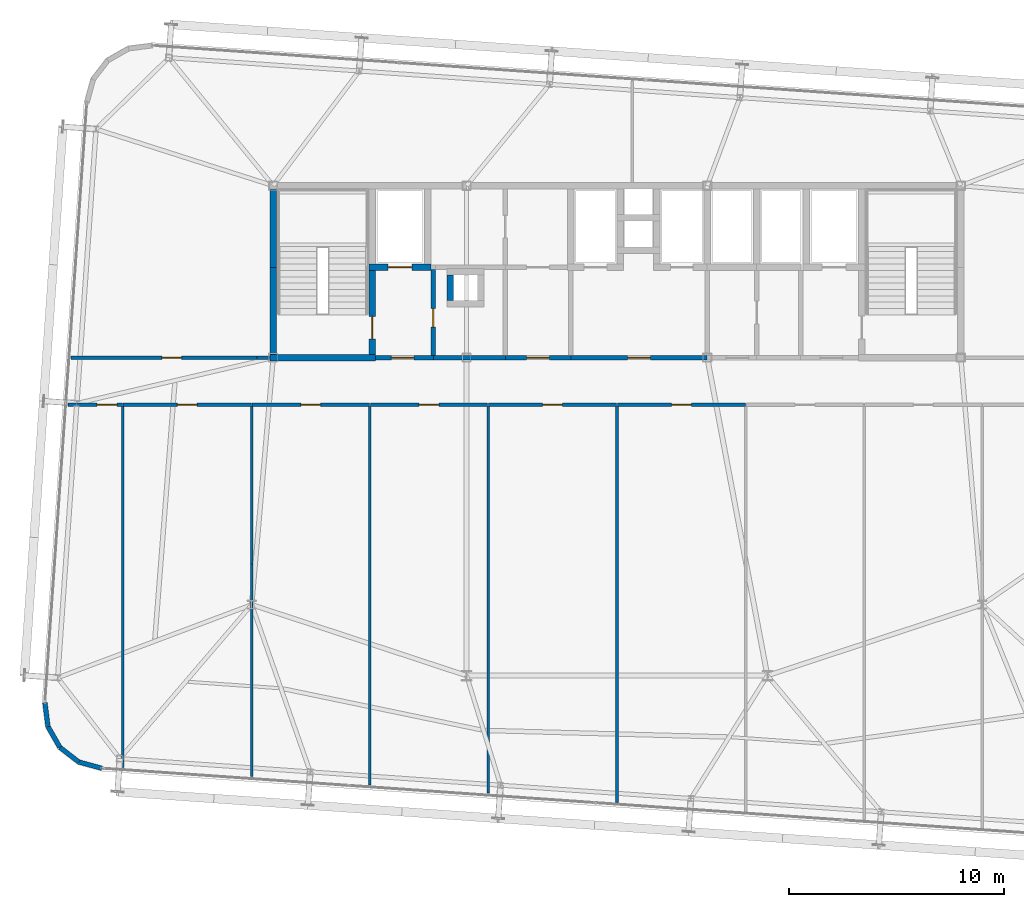
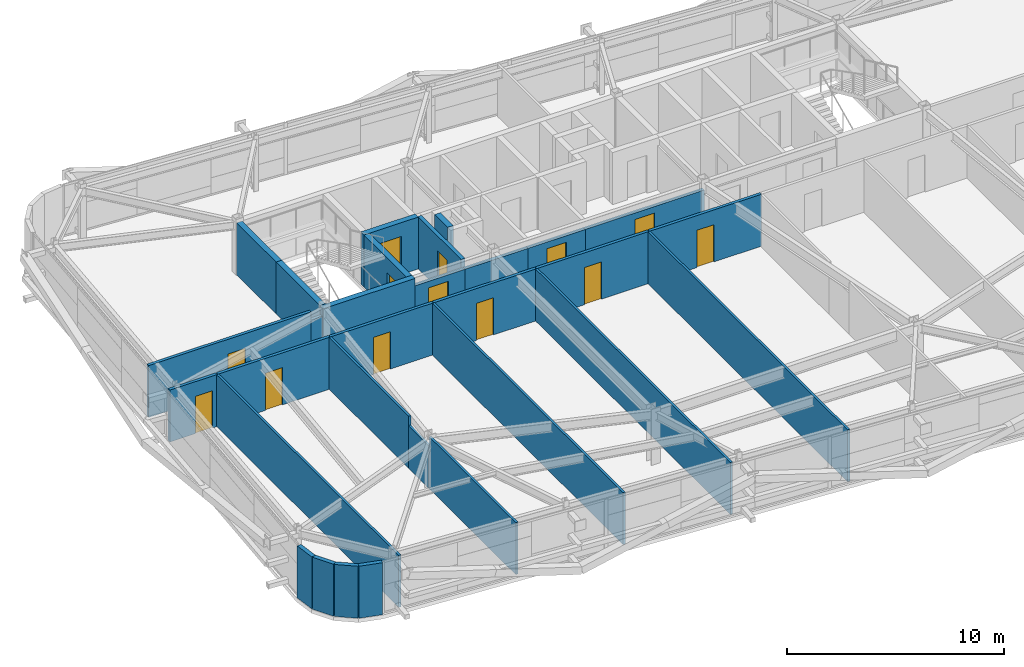
# One storey, part 35 of 39: 30 walls, 13 doors, 13 openings.
"""IFC4 building model written with IfcOpenShell, lengths in metres."""

from ifc_helpers import new_model, si_unit, direction, frame, frame_2d, origin, place, context, subcontext, project, spatial, rectangle, extrude, source, transform, mapped, material, layer, layer_set, type_object, element, fill, save


model = new_model("IFC4")

# Units and contexts
model_context = context("Model", 3, precision=1e-05, world=origin(), true_north=direction((0.0, 1.0)))
body_context = subcontext(model_context, "Body", "Model", "MODEL_VIEW")
ifc_project = project(units=[si_unit("LENGTHUNIT", "METRE"), si_unit("AREAUNIT", "SQUARE_METRE"), si_unit("VOLUMEUNIT", "CUBIC_METRE"), si_unit("PLANEANGLEUNIT", "RADIAN"), si_unit("MASSUNIT", "GRAM", prefix="KILO")], contexts=[model_context])

# Site, building, storey
site_placement = place(None, origin())
site = spatial("IfcSite", under=ifc_project, at=site_placement, CompositionType="ELEMENT")
building_placement = place(site_placement, origin())
building = spatial("IfcBuilding", under=site, at=building_placement, Name="Taldren Reach Tower", CompositionType="ELEMENT")
storey_placement = place(building_placement, frame((0.0, 0.0, 123.550048828125)))
storey = spatial("IfcBuildingStorey", under=building, at=storey_placement, Name="L37", CompositionType="ELEMENT", Elevation=123.550048828125)

# Walls
ifc_material_1 = material(Name="Pale Champagne Anodised Aluminium Cladding", Category="aluminium")
ifc_layer_1 = layer(ifc_material_1, 0.04, Name="Pale Champagne Anodised Aluminium Cladding", Category="aluminium")
ifc_material_2 = material(Name="Mineral Wool Acoustic Insulation", Category="insulation")
ifc_layer_2 = layer(ifc_material_2, 0.06, Name="Mineral Wool Acoustic Insulation", Category="insulation")
ifc_material_3 = material(Name="Steel Gr 350 (C350L0)", Category="steel")
ifc_layer_3 = layer(ifc_material_3, 0.12, Name="Steel Gr 350 (C350L0)", Category="steel")
ifc_layer_set_1 = layer_set([ifc_layer_1, ifc_layer_2, ifc_layer_3], Name="Pale Champagne Aluminium Cladding and Steel Gr 350 Stud Framing")
wall_type_1 = type_object("IfcWallType", Name="EW-CRN-220", PredefinedType="SOLIDWALL", material=ifc_layer_set_1)
shared_shape_1 = source(origin(), body_context, "Body", "SweptSolid", [
    extrude(rectangle(XDim=1.115966796875, YDim=0.219970703125, at=frame_2d((0.55810546875, 0.0))), origin(), (0.0, 0.0, 1.0), 2.929931640625),
])
for number, where, z_axis, x_axis, name in (
    (1, (8.37646484375, 7.93798828125, 0.0), (0.0, 0.0, 1.0), (0.126242535829, -0.991999406324, 0.0), "Rounded-corner pale-metal facade wall L37-SW1"),
    (2, (8.517333984375, 6.8310546875, 0.0), (0.0, 0.0, 1.0), (0.496138938357, -0.868243142124, 0.0), "Rounded-corner pale-metal facade wall L37-SW2"),
    (3, (9.071044921875, 5.862060546875, 0.0), (0.0, 0.0, 1.0), (0.790716874741, -0.612182018684, 0.0), "Rounded-corner pale-metal facade wall L37-SW3"),
    (4, (9.953369140625, 5.178955078125, 0.0), (0.0, 0.0, 1.0), (0.964804199372, -0.262969307856, 0.0), "Rounded-corner pale-metal facade wall L37-SW4"),
):
    element("IfcWall", number, at=place(storey_placement, frame(where, z_axis=z_axis, x_axis=x_axis)), inside=storey, type_object=wall_type_1, Name=name, PredefinedType="SOLIDWALL", context=body_context, shape_type="MappedRepresentation", body=[
        mapped(shared_shape_1, transform((0.0, 0.0, 0.0), scale=1.0)),
    ])

# Wall, opening, door
ifc_material_4 = material(Name="Fire-Rated Acoustic Plasterboard Stud Wall", Category="gypsum")
ifc_layer_4 = layer(ifc_material_4, 0.159912109375)
ifc_layer_set_2 = layer_set([ifc_layer_4], Name="Fire-Rated Acoustic Plasterboard Stud Wall")
wall_type_2 = type_object("IfcWallType", Name="IW-FIRE-160", PredefinedType="PARTITIONING", material=ifc_layer_set_2)
shared_shape_2 = source(origin(), body_context, "Body", "SweptSolid", [
    extrude(rectangle(XDim=5.95947265625, YDim=0.159912109375, at=frame_2d((2.979736328125, 0.0))), origin(), (0.0, 0.0, 1.0), 2.929931640625),
])
wall_1_placement = place(storey_placement, frame((17.979736328125, 21.800048828125, 0.0), z_axis=(0.0, 0.0, 1.0), x_axis=(-1.0, 0.0, 0.0)))
wall_1 = element("IfcWall", 5, at=wall_1_placement, inside=storey, type_object=wall_type_2, Name="Interior Partition Wall W-INT-L37-047", PredefinedType="PARTITIONING", context=body_context, shape_type="MappedRepresentation", body=[
    mapped(shared_shape_2, transform((0.0, 0.0, 0.0), scale=1.0)),
])
shared_shape_3 = source(origin(), body_context, "Body", "SweptSolid", [
    extrude(rectangle(XDim=0.919921875, YDim=2.10009765625, at=frame_2d((0.4599609375, 1.050048828125))), frame((0.0, 0.08984375, 0.0), z_axis=(0.0, -1.0, 0.0), x_axis=(1.0, 0.0, 0.0)), (0.0, 0.0, 1.0), 0.179931640625),
])
opening_1_placement = place(wall_1_placement, frame((2.519775390625, 0.0, 0.0)))
opening_1 = element("IfcOpeningElement", 6, at=opening_1_placement, cuts=wall_1, Name="Opening DI-092", PredefinedType="OPENING", context=body_context, shape_type="MappedRepresentation", body=[
    mapped(shared_shape_3, transform((0.0, 0.0, 0.0), scale=1.0)),
])
ifc_material_5 = material(Name="Solid-Core Timber Suite Door", Category="wood")
door_type_1 = type_object("IfcDoorType", Name="ID-INT-092", OperationType="NOTDEFINED", PredefinedType="DOOR", material=ifc_material_5)
shared_shape_4 = source(origin(), body_context, "Body", "SweptSolid", [
    extrude(rectangle(XDim=0.919921875, YDim=2.10009765625, at=frame_2d((0.4599609375, 1.050048828125))), frame((0.0, 0.02490234375, 0.0), z_axis=(0.0, -1.0, 0.0), x_axis=(1.0, 0.0, 0.0)), (0.0, 0.0, 1.0), 0.050048828125),
])
door_1_placement = place(opening_1_placement, origin())
door_1 = element("IfcDoor", 7, at=door_1_placement, inside=storey, type_object=door_type_1, Name="Interior Door DR-L37-012", OperationType="SINGLE_SWING_LEFT", OverallHeight=2.10009765625, OverallWidth=0.919921875, PredefinedType="DOOR", context=body_context, shape_type="MappedRepresentation", body=[
    mapped(shared_shape_4, transform((0.0, 0.0, 0.0), scale=1.0)),
])
fill(opening_1, door_1)

wall_2_placement = place(storey_placement, frame((34.979736328125, 21.800048828125, 0.0), z_axis=(0.0, 0.0, 1.0), x_axis=(-1.0, 0.0, 0.0)))
wall_2 = element("IfcWall", 8, at=wall_2_placement, inside=storey, type_object=wall_type_2, Name="Interior Partition Wall W-INT-L37-050", PredefinedType="PARTITIONING", context=body_context, shape_type="MappedRepresentation", body=[
    mapped(shared_shape_2, transform((0.0, 0.0, 0.0), scale=1.0)),
])
opening_2_placement = place(wall_2_placement, frame((2.519775390625, 0.0, 0.0)))
opening_2 = element("IfcOpeningElement", 9, at=opening_2_placement, cuts=wall_2, Name="Opening DI-092", PredefinedType="OPENING", context=body_context, shape_type="MappedRepresentation", body=[
    mapped(shared_shape_3, transform((0.0, 0.0, 0.0), scale=1.0)),
])
door_2_placement = place(opening_2_placement, origin())
door_2 = element("IfcDoor", 10, at=door_2_placement, inside=storey, type_object=door_type_1, Name="Interior Door DR-L37-015", OperationType="SINGLE_SWING_RIGHT", OverallHeight=2.10009765625, OverallWidth=0.919921875, PredefinedType="DOOR", context=body_context, shape_type="MappedRepresentation", body=[
    mapped(shared_shape_4, transform((0.0, 0.0, 0.0), scale=1.0)),
])
fill(opening_2, door_2)

wall_3_placement = place(storey_placement, frame((40.979736328125, 21.800048828125, 0.0), z_axis=(0.0, 0.0, 1.0), x_axis=(-1.0, 0.0, 0.0)))
wall_3 = element("IfcWall", 11, at=wall_3_placement, inside=storey, type_object=wall_type_2, Name="Interior Partition Wall W-INT-L37-051", PredefinedType="PARTITIONING", context=body_context, shape_type="MappedRepresentation", body=[
    mapped(shared_shape_2, transform((0.0, 0.0, 0.0), scale=1.0)),
])
opening_3_placement = place(wall_3_placement, frame((2.519775390625, 0.0, 0.0)))
opening_3 = element("IfcOpeningElement", 12, at=opening_3_placement, cuts=wall_3, Name="Opening DI-092", PredefinedType="OPENING", context=body_context, shape_type="MappedRepresentation", body=[
    mapped(shared_shape_3, transform((0.0, 0.0, 0.0), scale=1.0)),
])
door_3_placement = place(opening_3_placement, origin())
door_3 = element("IfcDoor", 13, at=door_3_placement, inside=storey, type_object=door_type_1, Name="Interior Door DR-L37-016", OperationType="SINGLE_SWING_LEFT", OverallHeight=2.10009765625, OverallWidth=0.919921875, PredefinedType="DOOR", context=body_context, shape_type="MappedRepresentation", body=[
    mapped(shared_shape_4, transform((0.0, 0.0, 0.0), scale=1.0)),
])
fill(opening_3, door_3)

# Walls
ifc_material_6 = material(Name="Concrete S65 (65 MPa)", Category="concrete")
ifc_layer_5 = layer(ifc_material_6, 0.300048828125)
ifc_layer_set_3 = layer_set([ifc_layer_5], Name="Concrete S65 (65 MPa)")
wall_type_3 = type_object("IfcWallType", Name="IW-CORE-300", PredefinedType="SHEAR", material=ifc_layer_set_3)
shared_shape_5 = source(origin(), body_context, "Body", "SweptSolid", [
    extrude(rectangle(XDim=4.050048828125, YDim=0.300048828125, at=frame_2d((2.02490234375, 0.0))), origin(), (0.0, 0.0, 1.0), 2.929931640625),
])
wall_4_placement = place(storey_placement, frame((19.0, 24.14990234375, 0.0), z_axis=(0.0, 0.0, 1.0), x_axis=(0.0, 1.0, 0.0)))
element("IfcWall", 14, at=wall_4_placement, inside=storey, type_object=wall_type_3, Name="Rear Core Shear Wall W-CORE-L37-WEST1", PredefinedType="SHEAR", context=body_context, shape_type="MappedRepresentation", body=[
    mapped(shared_shape_5, transform((0.0, 0.0, 0.0), scale=1.0)),
])
shared_shape_6 = source(origin(), body_context, "Body", "SweptSolid", [
    extrude(rectangle(XDim=3.650146484375, YDim=0.300048828125, at=frame_2d((1.8251953125, 0.0))), origin(), (0.0, 0.0, 1.0), 2.929931640625),
])
wall_5_placement = place(storey_placement, frame((19.0, 28.199951171875, 0.0), z_axis=(0.0, 0.0, 1.0), x_axis=(0.0, 1.0, 0.0)))
element("IfcWall", 15, at=wall_5_placement, inside=storey, type_object=wall_type_3, Name="Rear Core Shear Wall W-CORE-L37-WEST2", PredefinedType="SHEAR", context=body_context, shape_type="MappedRepresentation", body=[
    mapped(shared_shape_6, transform((0.0, 0.0, 0.0), scale=1.0)),
])

# Wall, opening, door
shared_shape_7 = source(origin(), body_context, "Body", "SweptSolid", [
    extrude(rectangle(XDim=3.900146484375, YDim=0.300048828125, at=frame_2d((1.9501953125, 0.0))), origin(), (0.0, 0.0, 1.0), 2.929931640625),
])
wall_6_placement = place(storey_placement, frame((23.60009765625, 24.14990234375, 0.0), z_axis=(0.0, 0.0, 1.0), x_axis=(0.0, 1.0, 0.0)))
wall_6 = element("IfcWall", 16, at=wall_6_placement, inside=storey, type_object=wall_type_3, Name="Rear Core Shear Wall W-INT-L37-002", PredefinedType="SHEAR", context=body_context, shape_type="MappedRepresentation", body=[
    mapped(shared_shape_7, transform((0.0, 0.0, 0.0), scale=1.0)),
])
shared_shape_8 = source(origin(), body_context, "Body", "SweptSolid", [
    extrude(rectangle(XDim=1.050048828125, YDim=2.10009765625, at=frame_2d((0.52490234375, 1.050048828125))), frame((0.0, 0.16015625, 0.0), z_axis=(0.0, -1.0, 0.0), x_axis=(1.0, 0.0, 0.0)), (0.0, 0.0, 1.0), 0.320068359375),
])
opening_4_placement = place(wall_6_placement, frame((0.72509765625, 0.0, 0.0)))
opening_4 = element("IfcOpeningElement", 17, at=opening_4_placement, cuts=wall_6, Name="Opening DF-105", PredefinedType="OPENING", context=body_context, shape_type="MappedRepresentation", body=[
    mapped(shared_shape_8, transform((0.0, 0.0, 0.0), scale=1.0)),
])
ifc_material_7 = material(Name="Fire-Rated Care and Stair Exit Door")
door_type_2 = type_object("IfcDoorType", Name="ID-FIRE-105", OperationType="NOTDEFINED", PredefinedType="DOOR", material=ifc_material_7)
shared_shape_9 = source(origin(), body_context, "Body", "SweptSolid", [
    extrude(rectangle(XDim=1.050048828125, YDim=2.10009765625, at=frame_2d((0.52490234375, 1.050048828125))), frame((0.0, 0.02490234375, 0.0), z_axis=(0.0, -1.0, 0.0), x_axis=(1.0, 0.0, 0.0)), (0.0, 0.0, 1.0), 0.050048828125),
])
door_4_placement = place(opening_4_placement, origin())
door_4 = element("IfcDoor", 18, at=door_4_placement, inside=storey, type_object=door_type_2, Name="Fire Exit Stair Door DR-L37-001", OperationType="SINGLE_SWING_LEFT", OverallHeight=2.10009765625, OverallWidth=1.050048828125, PredefinedType="DOOR", context=body_context, shape_type="MappedRepresentation", body=[
    mapped(shared_shape_9, transform((0.0, 0.0, 0.0), scale=1.0)),
])
fill(opening_4, door_4)

# Wall
shared_shape_10 = source(origin(), body_context, "Body", "SweptSolid", [
    extrude(rectangle(XDim=4.89990234375, YDim=0.300048828125, at=frame_2d((2.449951171875, 0.0))), origin(), (0.0, 0.0, 1.0), 2.929931640625),
])
wall_7_placement = place(storey_placement, frame((18.85009765625, 24.0, 0.0), z_axis=(0.0, 0.0, 1.0), x_axis=(1.0, 0.0, 0.0)))
element("IfcWall", 19, at=wall_7_placement, inside=storey, type_object=wall_type_3, Name="Rear Core Shear Wall W-INT-L37-003", PredefinedType="SHEAR", context=body_context, shape_type="MappedRepresentation", body=[
    mapped(shared_shape_10, transform((0.0, 0.0, 0.0), scale=1.0)),
])

# Wall, opening, door
shared_shape_11 = source(origin(), body_context, "Body", "SweptSolid", [
    extrude(rectangle(XDim=2.900146484375, YDim=0.300048828125, at=frame_2d((1.4501953125, 0.0))), origin(), (0.0, 0.0, 1.0), 2.929931640625),
])
wall_8_placement = place(storey_placement, frame((23.449951171875, 28.199951171875, 0.0), z_axis=(0.0, 0.0, 1.0), x_axis=(1.0, 0.0, 0.0)))
wall_8 = element("IfcWall", 20, at=wall_8_placement, inside=storey, type_object=wall_type_3, Name="Rear Core Shear Wall W-INT-L37-004", PredefinedType="SHEAR", context=body_context, shape_type="MappedRepresentation", body=[
    mapped(shared_shape_11, transform((0.0, 0.0, 0.0), scale=1.0)),
])
shared_shape_12 = source(origin(), body_context, "Body", "SweptSolid", [
    extrude(rectangle(XDim=1.10009765625, YDim=2.14990234375, at=frame_2d((0.550048828125, 1.074951171875))), frame((0.0, 0.16015625, 0.0), z_axis=(0.0, -1.0, 0.0), x_axis=(1.0, 0.0, 0.0)), (0.0, 0.0, 1.0), 0.320068359375),
])
opening_5_placement = place(wall_8_placement, frame((0.89990234375, 0.0, 0.0)))
opening_5 = element("IfcOpeningElement", 21, at=opening_5_placement, cuts=wall_8, Name="Opening LD-FL1", PredefinedType="OPENING", context=body_context, shape_type="MappedRepresentation", body=[
    mapped(shared_shape_12, transform((0.0, 0.0, 0.0), scale=1.0)),
])
ifc_material_8 = material(Name="Stainless Steel Gr 316 Emergency Lift Landing Door", Category="steel")
door_type_3 = type_object("IfcDoorType", Name="LD-EMG-110", OperationType="SLIDING_TO_LEFT", PredefinedType="DOOR", material=ifc_material_8)
shared_shape_13 = source(origin(), body_context, "Body", "SweptSolid", [
    extrude(rectangle(XDim=1.10009765625, YDim=2.14990234375, at=frame_2d((0.550048828125, 1.074951171875))), frame((0.0, 0.02490234375, 0.0), z_axis=(0.0, -1.0, 0.0), x_axis=(1.0, 0.0, 0.0)), (0.0, 0.0, 1.0), 0.050048828125),
])
door_5_placement = place(opening_5_placement, origin())
door_5 = element("IfcDoor", 22, at=door_5_placement, inside=storey, type_object=door_type_3, Name="Lift Landing Door LD-FL1-L37", OperationType="SLIDING_TO_LEFT", OverallHeight=2.14990234375, OverallWidth=1.10009765625, PredefinedType="DOOR", context=body_context, shape_type="MappedRepresentation", body=[
    mapped(shared_shape_13, transform((0.0, 0.0, 0.0), scale=1.0)),
])
fill(opening_5, door_5)

ifc_material_9 = material(Name="Concrete S50 (50 MPa)", Category="concrete")
ifc_layer_6 = layer(ifc_material_9, 0.199951171875)
ifc_layer_set_4 = layer_set([ifc_layer_6], Name="Concrete S50 (50 MPa)")
wall_type_4 = type_object("IfcWallType", Name="IW-CORE-200", PredefinedType="SOLIDWALL", material=ifc_layer_set_4)
shared_shape_14 = source(origin(), body_context, "Body", "SweptSolid", [
    extrude(rectangle(XDim=2.699951171875, YDim=0.199951171875, at=frame_2d((1.35009765625, 0.0))), origin(), (0.0, 0.0, 1.0), 2.469970703125),
])
wall_9_placement = place(storey_placement, frame((23.75, 24.0, 0.0), z_axis=(0.0, 0.0, 1.0), x_axis=(1.0, 0.0, 0.0)))
wall_9 = element("IfcWall", 23, at=wall_9_placement, inside=storey, type_object=wall_type_4, Name="Rear Core Shear Wall W-INT-L37-007", PredefinedType="SOLIDWALL", context=body_context, shape_type="MappedRepresentation", body=[
    mapped(shared_shape_14, transform((0.0, 0.0, 0.0), scale=1.0)),
])
shared_shape_15 = source(origin(), body_context, "Body", "SweptSolid", [
    extrude(rectangle(XDim=1.050048828125, YDim=2.10009765625, at=frame_2d((0.52490234375, 1.050048828125))), frame((0.0, 0.10986328125, 0.0), z_axis=(0.0, -1.0, 0.0), x_axis=(1.0, 0.0, 0.0)), (0.0, 0.0, 1.0), 0.219970703125),
])
opening_6_placement = place(wall_9_placement, frame((0.75, 0.0, 0.0)))
opening_6 = element("IfcOpeningElement", 24, at=opening_6_placement, cuts=wall_9, Name="Opening DF-105", PredefinedType="OPENING", context=body_context, shape_type="MappedRepresentation", body=[
    mapped(shared_shape_15, transform((0.0, 0.0, 0.0), scale=1.0)),
])
door_6_placement = place(opening_6_placement, origin())
door_6 = element("IfcDoor", 25, at=door_6_placement, inside=storey, type_object=door_type_2, Name="Interior Door DR-L37-002", OperationType="SINGLE_SWING_LEFT", OverallHeight=2.10009765625, OverallWidth=1.050048828125, PredefinedType="DOOR", context=body_context, shape_type="MappedRepresentation", body=[
    mapped(shared_shape_9, transform((0.0, 0.0, 0.0), scale=1.0)),
])
fill(opening_6, door_6)

# Wall
shared_shape_16 = source(origin(), body_context, "Body", "SweptSolid", [
    extrude(rectangle(XDim=1.2001953125, YDim=0.300048828125, at=frame_2d((0.60009765625, 0.0))), origin(), (0.0, 0.0, 1.0), 2.929931640625),
])
wall_10_placement = place(storey_placement, frame((27.25, 27.85009765625, 0.0), z_axis=(0.0, 0.0, 1.0), x_axis=(0.0, -1.0, 0.0)))
element("IfcWall", 26, at=wall_10_placement, inside=storey, type_object=wall_type_3, Name="Rear Core Shear Wall W-INT-L37-022", PredefinedType="SHEAR", context=body_context, shape_type="MappedRepresentation", body=[
    mapped(shared_shape_16, transform((0.0, 0.0, 0.0), scale=1.0)),
])

# Wall, opening, door
shared_shape_17 = source(origin(), body_context, "Body", "SweptSolid", [
    extrude(rectangle(XDim=4.0, YDim=0.199951171875, at=frame_2d((2.0, 0.0))), origin(), (0.0, 0.0, 1.0), 2.929931640625),
])
wall_11_placement = place(storey_placement, frame((26.449951171875, 24.10009765625, 0.0), z_axis=(0.0, 0.0, 1.0), x_axis=(0.0, 1.0, 0.0)))
wall_11 = element("IfcWall", 27, at=wall_11_placement, inside=storey, type_object=wall_type_4, Name="Rear Core Shear Wall W-INT-L37-006", PredefinedType="SOLIDWALL", context=body_context, shape_type="MappedRepresentation", body=[
    mapped(shared_shape_17, transform((0.0, 0.0, 0.0), scale=1.0)),
])
shared_shape_18 = source(origin(), body_context, "Body", "SweptSolid", [
    extrude(rectangle(XDim=0.860107421875, YDim=2.10009765625, at=frame_2d((0.43017578125, 1.050048828125))), frame((0.0, 0.10986328125, 0.0), z_axis=(0.0, -1.0, 0.0), x_axis=(1.0, 0.0, 0.0)), (0.0, 0.0, 1.0), 0.219970703125),
])
opening_7_placement = place(wall_11_placement, frame((1.320068359375, 0.0, 0.0)))
opening_7 = element("IfcOpeningElement", 28, at=opening_7_placement, cuts=wall_11, Name="Opening DI-086", PredefinedType="OPENING", context=body_context, shape_type="MappedRepresentation", body=[
    mapped(shared_shape_18, transform((0.0, 0.0, 0.0), scale=1.0)),
])
ifc_material_10 = material(Name="Timber Bathroom Door", Category="wood")
door_type_4 = type_object("IfcDoorType", Name="ID-INT-086", OperationType="NOTDEFINED", PredefinedType="DOOR", material=ifc_material_10)
shared_shape_19 = source(origin(), body_context, "Body", "SweptSolid", [
    extrude(rectangle(XDim=0.860107421875, YDim=2.10009765625, at=frame_2d((0.43017578125, 1.050048828125))), frame((0.0, 0.02490234375, 0.0), z_axis=(0.0, -1.0, 0.0), x_axis=(1.0, 0.0, 0.0)), (0.0, 0.0, 1.0), 0.050048828125),
])
door_7_placement = place(opening_7_placement, frame((0.860107421875, 0.0, 0.0), z_axis=(0.0, 0.0, 1.0), x_axis=(-1.0, 0.0, 0.0)))
door_7 = element("IfcDoor", 29, at=door_7_placement, inside=storey, type_object=door_type_4, Name="Interior Door DR-L37-023", OperationType="SINGLE_SWING_RIGHT", OverallHeight=2.10009765625, OverallWidth=0.860107421875, PredefinedType="DOOR", context=body_context, shape_type="MappedRepresentation", body=[
    mapped(shared_shape_19, transform((0.0, 0.0, 0.0), scale=1.0)),
])
fill(opening_7, door_7)

shared_shape_20 = source(origin(), body_context, "Body", "SweptSolid", [
    extrude(rectangle(XDim=6.349853515625, YDim=0.199951171875, at=frame_2d((3.1748046875, 0.0))), origin(), (0.0, 0.0, 1.0), 2.469970703125),
])
wall_12_placement = place(storey_placement, frame((39.199951171875, 24.0, 0.0), z_axis=(0.0, 0.0, 1.0), x_axis=(-1.0, 0.0, 0.0)))
wall_12 = element("IfcWall", 30, at=wall_12_placement, inside=storey, type_object=wall_type_4, Name="Rear Core Shear Wall W-INT-L37-033", PredefinedType="SOLIDWALL", context=body_context, shape_type="MappedRepresentation", body=[
    mapped(shared_shape_20, transform((0.0, 0.0, 0.0), scale=1.0)),
])
opening_8_placement = place(wall_12_placement, frame((2.64990234375, 0.0, 0.0)))
opening_8 = element("IfcOpeningElement", 31, at=opening_8_placement, cuts=wall_12, Name="Opening DF-105", PredefinedType="OPENING", context=body_context, shape_type="MappedRepresentation", body=[
    mapped(shared_shape_15, transform((0.0, 0.0, 0.0), scale=1.0)),
])
door_8_placement = place(opening_8_placement, frame((1.050048828125, 0.0, 0.0), z_axis=(0.0, 0.0, 1.0), x_axis=(-1.0, 0.0, 0.0)))
door_8 = element("IfcDoor", 32, at=door_8_placement, inside=storey, type_object=door_type_2, Name="Interior Door DR-L37-005", OperationType="SINGLE_SWING_LEFT", OverallHeight=2.10009765625, OverallWidth=1.050048828125, PredefinedType="DOOR", context=body_context, shape_type="MappedRepresentation", body=[
    mapped(shared_shape_9, transform((0.0, 0.0, 0.0), scale=1.0)),
])
fill(opening_8, door_8)

# Wall
shared_shape_21 = source(origin(), body_context, "Body", "SweptSolid", [
    extrude(rectangle(XDim=3.35009765625, YDim=0.199951171875, at=frame_2d((1.675048828125, 0.0))), origin(), (0.0, 0.0, 1.0), 2.469970703125),
])
wall_13_placement = place(storey_placement, frame((29.800048828125, 24.0, 0.0), z_axis=(0.0, 0.0, 1.0), x_axis=(-1.0, 0.0, 0.0)))
element("IfcWall", 33, at=wall_13_placement, inside=storey, type_object=wall_type_4, Name="Rear Core Shear Wall W-INT-L37-039", PredefinedType="SOLIDWALL", context=body_context, shape_type="MappedRepresentation", body=[
    mapped(shared_shape_21, transform((0.0, 0.0, 0.0), scale=1.0)),
])

# Wall, opening, door
shared_shape_22 = source(origin(), body_context, "Body", "SweptSolid", [
    extrude(rectangle(XDim=3.050048828125, YDim=0.199951171875, at=frame_2d((1.52490234375, 0.0))), origin(), (0.0, 0.0, 1.0), 2.469970703125),
])
wall_14_placement = place(storey_placement, frame((32.85009765625, 24.0, 0.0), z_axis=(0.0, 0.0, 1.0), x_axis=(-1.0, 0.0, 0.0)))
wall_14 = element("IfcWall", 34, at=wall_14_placement, inside=storey, type_object=wall_type_4, Name="Rear Core Shear Wall W-INT-L37-041", PredefinedType="SOLIDWALL", context=body_context, shape_type="MappedRepresentation", body=[
    mapped(shared_shape_22, transform((0.0, 0.0, 0.0), scale=1.0)),
])
opening_9_placement = place(wall_14_placement, frame((1.0, 0.0, 0.0)))
opening_9 = element("IfcOpeningElement", 35, at=opening_9_placement, cuts=wall_14, Name="Opening DF-105", PredefinedType="OPENING", context=body_context, shape_type="MappedRepresentation", body=[
    mapped(shared_shape_15, transform((0.0, 0.0, 0.0), scale=1.0)),
])
door_9_placement = place(opening_9_placement, frame((1.050048828125, 0.0, 0.0), z_axis=(0.0, 0.0, 1.0), x_axis=(-1.0, 0.0, 0.0)))
door_9 = element("IfcDoor", 36, at=door_9_placement, inside=storey, type_object=door_type_2, Name="Interior Door DR-L37-007", OperationType="SINGLE_SWING_LEFT", OverallHeight=2.10009765625, OverallWidth=1.050048828125, PredefinedType="DOOR", context=body_context, shape_type="MappedRepresentation", body=[
    mapped(shared_shape_9, transform((0.0, 0.0, 0.0), scale=1.0)),
])
fill(opening_9, door_9)

shared_shape_23 = source(origin(), body_context, "Body", "SweptSolid", [
    extrude(rectangle(XDim=2.538330078125, YDim=0.159912109375, at=frame_2d((1.26904296875, 0.0))), origin(), (0.0, 0.0, 1.0), 2.929931640625),
])
wall_15_placement = place(storey_placement, frame((11.979736328125, 21.800048828125, 0.0), z_axis=(0.0, 0.0, 1.0), x_axis=(-1.0, 0.0, 0.0)))
wall_15 = element("IfcWall", 37, at=wall_15_placement, inside=storey, type_object=wall_type_2, Name="Interior Partition Wall W-INT-L37-046", PredefinedType="PARTITIONING", context=body_context, shape_type="MappedRepresentation", body=[
    mapped(shared_shape_23, transform((0.0, 0.0, 0.0), scale=1.0)),
])
opening_10_placement = place(wall_15_placement, frame((0.259033203125, 0.0, 0.0)))
opening_10 = element("IfcOpeningElement", 38, at=opening_10_placement, cuts=wall_15, Name="Opening DI-092", PredefinedType="OPENING", context=body_context, shape_type="MappedRepresentation", body=[
    mapped(shared_shape_3, transform((0.0, 0.0, 0.0), scale=1.0)),
])
door_10_placement = place(opening_10_placement, origin())
door_10 = element("IfcDoor", 39, at=door_10_placement, inside=storey, type_object=door_type_1, Name="Interior Door DR-L37-011", OperationType="SINGLE_SWING_LEFT", OverallHeight=2.10009765625, OverallWidth=0.919921875, PredefinedType="DOOR", context=body_context, shape_type="MappedRepresentation", body=[
    mapped(shared_shape_4, transform((0.0, 0.0, 0.0), scale=1.0)),
])
fill(opening_10, door_10)

shared_shape_24 = source(origin(), body_context, "Body", "SweptSolid", [
    extrude(rectangle(XDim=5.45947265625, YDim=0.159912109375, at=frame_2d((2.729736328125, 0.0))), origin(), (0.0, 0.0, 1.0), 2.929931640625),
])
wall_16_placement = place(storey_placement, frame((23.479736328125, 21.800048828125, 0.0), z_axis=(0.0, 0.0, 1.0), x_axis=(-1.0, 0.0, 0.0)))
wall_16 = element("IfcWall", 40, at=wall_16_placement, inside=storey, type_object=wall_type_2, Name="Interior Partition Wall W-INT-L37-048", PredefinedType="PARTITIONING", context=body_context, shape_type="MappedRepresentation", body=[
    mapped(shared_shape_24, transform((0.0, 0.0, 0.0), scale=1.0)),
])
opening_11_placement = place(wall_16_placement, frame((2.269775390625, 0.0, 0.0)))
opening_11 = element("IfcOpeningElement", 41, at=opening_11_placement, cuts=wall_16, Name="Opening DI-092", PredefinedType="OPENING", context=body_context, shape_type="MappedRepresentation", body=[
    mapped(shared_shape_3, transform((0.0, 0.0, 0.0), scale=1.0)),
])
door_11_placement = place(opening_11_placement, origin())
door_11 = element("IfcDoor", 42, at=door_11_placement, inside=storey, type_object=door_type_1, Name="Interior Door DR-L37-013", OperationType="SINGLE_SWING_RIGHT", OverallHeight=2.10009765625, OverallWidth=0.919921875, PredefinedType="DOOR", context=body_context, shape_type="MappedRepresentation", body=[
    mapped(shared_shape_4, transform((0.0, 0.0, 0.0), scale=1.0)),
])
fill(opening_11, door_11)

wall_17_placement = place(storey_placement, frame((28.979736328125, 21.800048828125, 0.0), z_axis=(0.0, 0.0, 1.0), x_axis=(-1.0, 0.0, 0.0)))
wall_17 = element("IfcWall", 43, at=wall_17_placement, inside=storey, type_object=wall_type_2, Name="Interior Partition Wall W-INT-L37-049", PredefinedType="PARTITIONING", context=body_context, shape_type="MappedRepresentation", body=[
    mapped(shared_shape_24, transform((0.0, 0.0, 0.0), scale=1.0)),
])
opening_12_placement = place(wall_17_placement, frame((2.269775390625, 0.0, 0.0)))
opening_12 = element("IfcOpeningElement", 44, at=opening_12_placement, cuts=wall_17, Name="Opening DI-092", PredefinedType="OPENING", context=body_context, shape_type="MappedRepresentation", body=[
    mapped(shared_shape_3, transform((0.0, 0.0, 0.0), scale=1.0)),
])
door_12_placement = place(opening_12_placement, origin())
door_12 = element("IfcDoor", 45, at=door_12_placement, inside=storey, type_object=door_type_1, Name="Interior Door DR-L37-014", OperationType="SINGLE_SWING_LEFT", OverallHeight=2.10009765625, OverallWidth=0.919921875, PredefinedType="DOOR", context=body_context, shape_type="MappedRepresentation", body=[
    mapped(shared_shape_4, transform((0.0, 0.0, 0.0), scale=1.0)),
])
fill(opening_12, door_12)

shared_shape_25 = source(origin(), body_context, "Body", "SweptSolid", [
    extrude(rectangle(XDim=8.65234375, YDim=0.159912109375, at=frame_2d((4.326171875, 0.0))), origin(), (0.0, 0.0, 1.0), 2.929931640625),
])
wall_18_placement = place(storey_placement, frame((9.584228515625, 24.0, 0.0), z_axis=(0.0, 0.0, 1.0), x_axis=(1.0, 0.0, 0.0)))
wall_18 = element("IfcWall", 46, at=wall_18_placement, inside=storey, type_object=wall_type_2, Name="Interior Partition Wall W-INT-L37-056", PredefinedType="PARTITIONING", context=body_context, shape_type="MappedRepresentation", body=[
    mapped(shared_shape_25, transform((0.0, 0.0, 0.0), scale=1.0)),
])
opening_13_placement = place(wall_18_placement, frame((4.23779296875, 0.0, 0.0)))
opening_13 = element("IfcOpeningElement", 47, at=opening_13_placement, cuts=wall_18, Name="Opening DI-092", PredefinedType="OPENING", context=body_context, shape_type="MappedRepresentation", body=[
    mapped(shared_shape_3, transform((0.0, 0.0, 0.0), scale=1.0)),
])
door_13_placement = place(opening_13_placement, origin())
door_13 = element("IfcDoor", 48, at=door_13_placement, inside=storey, type_object=door_type_1, Name="Interior Door DR-L37-021", OperationType="SINGLE_SWING_RIGHT", OverallHeight=2.10009765625, OverallWidth=0.919921875, PredefinedType="DOOR", context=body_context, shape_type="MappedRepresentation", body=[
    mapped(shared_shape_4, transform((0.0, 0.0, 0.0), scale=1.0)),
])
fill(opening_13, door_13)

# Walls
shared_shape_26 = source(origin(), body_context, "Body", "SweptSolid", [
    extrude(rectangle(XDim=0.613525390625, YDim=0.159912109375, at=frame_2d((0.306640625, 0.0))), origin(), (0.0, 0.0, 1.0), 2.469970703125),
])
wall_19_placement = place(storey_placement, frame((18.236572265625, 24.0, 0.0), z_axis=(0.0, 0.0, 1.0), x_axis=(1.0, 0.0, 0.0)))
element("IfcWall", 49, at=wall_19_placement, inside=storey, type_object=wall_type_2, Name="Interior Partition Wall W-INT-L37-056 part 2", PredefinedType="PARTITIONING", context=body_context, shape_type="MappedRepresentation", body=[
    mapped(shared_shape_26, transform((0.0, 0.0, 0.0), scale=1.0)),
])
ifc_material_11 = material(Name="Insulated Residential Stud Partition", Category="gypsum")
ifc_layer_7 = layer(ifc_material_11, 0.1201171875)
ifc_layer_set_5 = layer_set([ifc_layer_7], Name="Insulated Residential Stud Partition")
wall_type_5 = type_object("IfcWallType", Name="IW-PART-120", PredefinedType="PARTITIONING", material=ifc_layer_set_5)
shared_shape_27 = source(origin(), body_context, "Body", "SweptSolid", [
    extrude(rectangle(XDim=16.806640625, YDim=0.1201171875, at=frame_2d((8.4033203125, 0.0))), origin(), (0.0, 0.0, 1.0), 2.929931640625),
])
wall_20_placement = place(storey_placement, frame((12.0, 21.719970703125, 0.0), z_axis=(0.0, 0.0, 1.0), x_axis=(0.0, -1.0, 0.0)))
element("IfcWall", 50, at=wall_20_placement, inside=storey, type_object=wall_type_5, Name="Interior Partition Wall W-INT-L37-058", PredefinedType="PARTITIONING", context=body_context, shape_type="MappedRepresentation", body=[
    mapped(shared_shape_27, transform((0.0, 0.0, 0.0), scale=1.0)),
])
shared_shape_28 = source(origin(), body_context, "Body", "SweptSolid", [
    extrude(rectangle(XDim=7.32373046875, YDim=0.1201171875, at=frame_2d((3.661865234375, 0.0))), origin(), (0.0, 0.0, 1.0), 2.929931640625),
])
wall_21_placement = place(storey_placement, frame((18.0, 21.719970703125, 0.0), z_axis=(0.0, 0.0, 1.0), x_axis=(0.0, -1.0, 0.0)))
element("IfcWall", 51, at=wall_21_placement, inside=storey, type_object=wall_type_5, Name="Interior Partition Wall W-INT-L37-059", PredefinedType="PARTITIONING", context=body_context, shape_type="MappedRepresentation", body=[
    mapped(shared_shape_28, transform((0.0, 0.0, 0.0), scale=1.0)),
])
shared_shape_29 = source(origin(), body_context, "Body", "SweptSolid", [
    extrude(rectangle(XDim=1.9013671875, YDim=0.1201171875, at=frame_2d((0.95068359375, 0.0))), origin(), (0.0, 0.0, 1.0), 2.39697265625),
])
wall_22_placement = place(storey_placement, frame((18.0, 14.396240234375, 0.0), z_axis=(0.0, 0.0, 1.0), x_axis=(0.0, -1.0, 0.0)))
element("IfcWall", 52, at=wall_22_placement, inside=storey, type_object=wall_type_5, Name="Interior Partition Wall W-INT-L37-059 part 2", PredefinedType="PARTITIONING", context=body_context, shape_type="MappedRepresentation", body=[
    mapped(shared_shape_29, transform((0.0, 0.0, 0.0), scale=1.0)),
])
shared_shape_30 = source(origin(), body_context, "Body", "SweptSolid", [
    extrude(rectangle(XDim=8.0009765625, YDim=0.1201171875, at=frame_2d((4.00048828125, 0.0))), origin(), (0.0, 0.0, 1.0), 2.929931640625),
])
wall_23_placement = place(storey_placement, frame((18.0, 12.494873046875, 0.0), z_axis=(0.0, 0.0, 1.0), x_axis=(0.0, -1.0, 0.0)))
element("IfcWall", 53, at=wall_23_placement, inside=storey, type_object=wall_type_5, Name="Interior Partition Wall W-INT-L37-059 part 3", PredefinedType="PARTITIONING", context=body_context, shape_type="MappedRepresentation", body=[
    mapped(shared_shape_30, transform((0.0, 0.0, 0.0), scale=1.0)),
])
shared_shape_31 = source(origin(), body_context, "Body", "SweptSolid", [
    extrude(rectangle(XDim=17.610595703125, YDim=0.1201171875, at=frame_2d((8.80517578125, 0.0))), origin(), (0.0, 0.0, 1.0), 2.929931640625),
])
wall_24_placement = place(storey_placement, frame((23.5, 21.719970703125, 0.0), z_axis=(0.0, 0.0, 1.0), x_axis=(0.0, -1.0, 0.0)))
element("IfcWall", 54, at=wall_24_placement, inside=storey, type_object=wall_type_5, Name="Interior Partition Wall W-INT-L37-060", PredefinedType="PARTITIONING", context=body_context, shape_type="MappedRepresentation", body=[
    mapped(shared_shape_31, transform((0.0, 0.0, 0.0), scale=1.0)),
])
shared_shape_32 = source(origin(), body_context, "Body", "SweptSolid", [
    extrude(rectangle(XDim=17.995361328125, YDim=0.1201171875, at=frame_2d((8.99755859375, 0.0))), origin(), (0.0, 0.0, 1.0), 2.929931640625),
])
wall_25_placement = place(storey_placement, frame((29.0, 21.719970703125, 0.0), z_axis=(0.0, 0.0, 1.0), x_axis=(0.0, -1.0, 0.0)))
element("IfcWall", 55, at=wall_25_placement, inside=storey, type_object=wall_type_5, Name="Interior Partition Wall W-INT-L37-061", PredefinedType="PARTITIONING", context=body_context, shape_type="MappedRepresentation", body=[
    mapped(shared_shape_32, transform((0.0, 0.0, 0.0), scale=1.0)),
])
shared_shape_33 = source(origin(), body_context, "Body", "SweptSolid", [
    extrude(rectangle(XDim=18.414794921875, YDim=0.1201171875, at=frame_2d((9.20751953125, 0.0))), origin(), (0.0, 0.0, 1.0), 2.929931640625),
])
wall_26_placement = place(storey_placement, frame((35.0, 21.719970703125, 0.0), z_axis=(0.0, 0.0, 1.0), x_axis=(0.0, -1.0, 0.0)))
element("IfcWall", 56, at=wall_26_placement, inside=storey, type_object=wall_type_5, Name="Interior Partition Wall W-INT-L37-062", PredefinedType="PARTITIONING", context=body_context, shape_type="MappedRepresentation", body=[
    mapped(shared_shape_33, transform((0.0, 0.0, 0.0), scale=1.0)),
])

save(model, "model.ifc")
